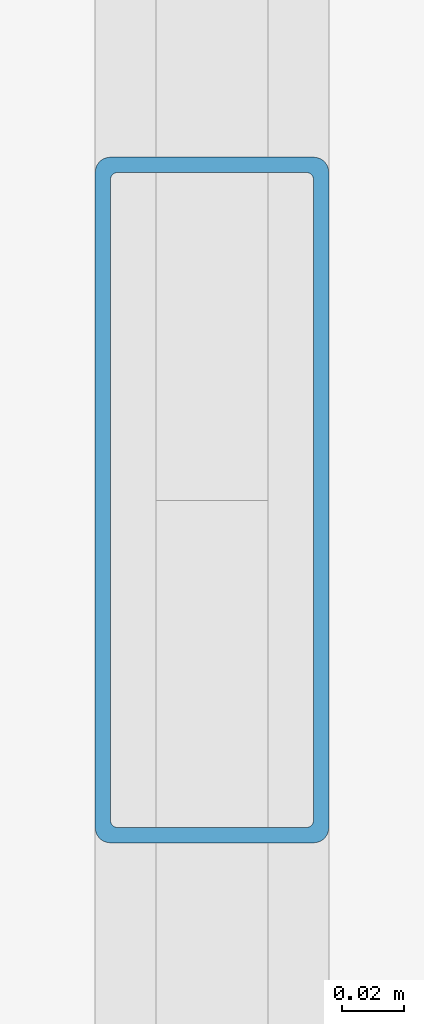
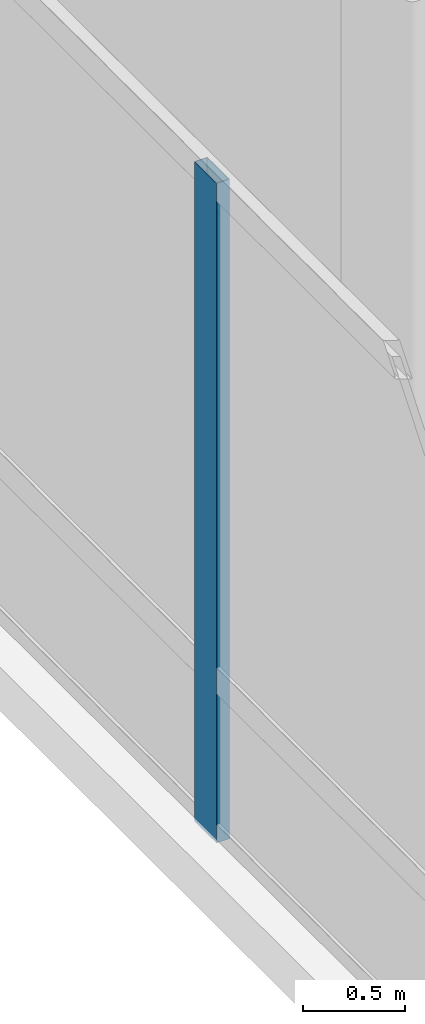
# One storey, part 5 of 20: 1 member, 1 element without a shape of its own.
"""IFC4 building model written with IfcOpenShell, lengths in metres."""

from ifc_helpers import new_model, si_unit, direction, frame, origin, origin_2d, place, context, subcontext, project, spatial, hollow_rectangle, extrude, material, material_profile, profile_set, type_object, element, aggregate, save


model = new_model("IFC4")

# Units and contexts
model_context = context("Model", 3, precision=1e-05, world=origin(), true_north=direction((0.0, 1.0)))
body_context = subcontext(model_context, "Body", "Model", "MODEL_VIEW")
ifc_project = project(units=[si_unit("LENGTHUNIT", "METRE"), si_unit("AREAUNIT", "SQUARE_METRE"), si_unit("VOLUMEUNIT", "CUBIC_METRE"), si_unit("PLANEANGLEUNIT", "RADIAN"), si_unit("MASSUNIT", "GRAM", prefix="KILO")], contexts=[model_context])

# Site, building, storey
site_placement = place(None, origin())
site = spatial("IfcSite", under=ifc_project, at=site_placement, CompositionType="ELEMENT")
building_placement = place(site_placement, origin())
building = spatial("IfcBuilding", under=site, at=building_placement, Name="Noeulbin Bourse Tower", CompositionType="ELEMENT")
storey_placement = place(building_placement, frame((0.0, 0.0, 312.60009765625)))
storey = spatial("IfcBuildingStorey", under=building, at=storey_placement, Name="L77", CompositionType="ELEMENT", Elevation=312.60009765625)

# Curtain wall, member
ifc_material_1 = material(Name="High-Selectivity Low-Iron Glazing", Category="glass")
curtain_wall_type = type_object("IfcCurtainWallType", Name="CW-SYS-4", PredefinedType="NOTDEFINED", material=ifc_material_1)
curtain_wall_placement = place(storey_placement, origin())
curtain_wall = element("IfcCurtainWall", 1, at=curtain_wall_placement, inside=storey, type_object=curtain_wall_type, Name="Unitised Curtain Wall CW-L77-W", PredefinedType="NOTDEFINED")
ifc_material_2 = material(Name="Anodised Aluminium 6063-T6", Category="aluminium")
ifc_material_profile = material_profile(ifc_material_2, hollow_rectangle(XDim=0.074951171875, YDim=0.219970703125, WallThickness=0.0048828125, InnerFilletRadius=0.00244140625, OuterFilletRadius=0.0048828125, at=origin_2d()), Name="ALU-MULL-75x220x5", Category="LoadBearing")
ifc_profile_set = profile_set([ifc_material_profile], Name="Anodised Aluminium 6063-T6")
member_type = type_object("IfcMemberType", Name="CW-SYS-4-MUL", PredefinedType="MULLION", material=ifc_profile_set)
member_placement = place(storey_placement, frame((12.219970703125, 28.97607421875, -0.02001953125), z_axis=(0.0, 0.0, 1.0), x_axis=(1.0, 0.0, 0.0)))
member = element("IfcMember", 2, at=member_placement, type_object=member_type, Name="Curtain Wall Mullion CW-L77-W-M02", PredefinedType="MULLION", context=body_context, shape_type="SweptSolid", body=[
    extrude(hollow_rectangle(XDim=0.074951171875, YDim=0.219970703125, WallThickness=0.0048828125, InnerFilletRadius=0.00244140625, OuterFilletRadius=0.0048828125, at=origin_2d()), origin(), (0.0, 0.0, 1.0), 3.949951171875),
])
aggregate(curtain_wall, [member])

save(model, "model.ifc")
